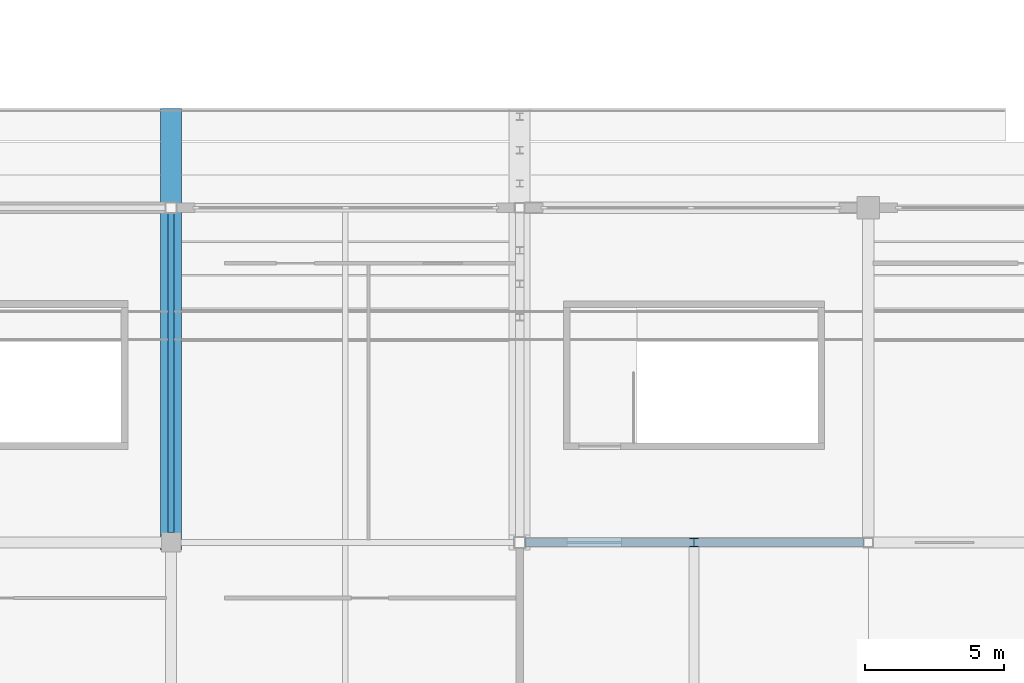
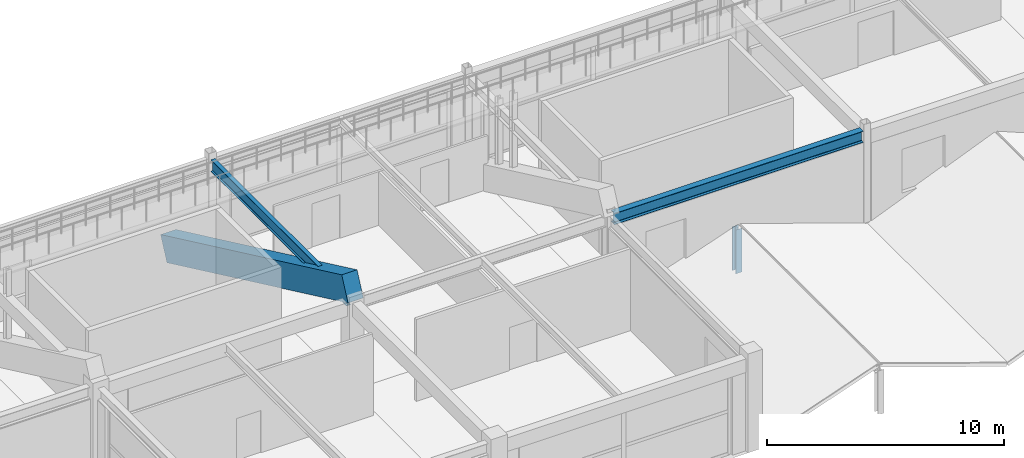
# One storey, part 46 of 128: 3 beams, 1 member.
"""IFC4 building model written with IfcOpenShell, lengths in metres."""

from ifc_helpers import new_model, si_unit, direction, frame, origin, origin_2d, place, context, subcontext, project, spatial, rectangle, i_section, extrude, material, material_profile, profile_set, type_object, element, save


model = new_model("IFC4")

# Units and contexts
model_context = context("Model", 3, precision=1e-05, world=origin(), true_north=direction((0.0, 1.0)))
body_context = subcontext(model_context, "Body", "Model", "MODEL_VIEW")
ifc_project = project(units=[si_unit("LENGTHUNIT", "METRE"), si_unit("AREAUNIT", "SQUARE_METRE"), si_unit("VOLUMEUNIT", "CUBIC_METRE"), si_unit("PLANEANGLEUNIT", "RADIAN"), si_unit("MASSUNIT", "GRAM", prefix="KILO")], contexts=[model_context])

# Site, building, storey
site_placement = place(None, origin())
site = spatial("IfcSite", under=ifc_project, at=site_placement, CompositionType="ELEMENT")
building_placement = place(site_placement, origin())
building = spatial("IfcBuilding", under=site, at=building_placement, Name="Kazenohara Klinker Stadium", CompositionType="ELEMENT")
storey_placement = place(building_placement, frame((0.0, 0.0, 15.300048828125)))
storey = spatial("IfcBuildingStorey", under=building, at=storey_placement, Name="L03", CompositionType="ELEMENT", Elevation=15.300048828125)

# Beams
ifc_material_1 = material(Name="Steel S355", Category="steel")
ifc_material_profile_1 = material_profile(ifc_material_1, i_section(OverallWidth=0.199951171875, OverallDepth=0.60009765625, WebThickness=0.010986328125, FlangeThickness=0.01708984375, FilletRadius=0.012939453125, at=origin_2d()), Name="H-600x200x11x17")
ifc_profile_set_1 = profile_set([ifc_material_profile_1], Name="Steel S355")
beam_type_1 = type_object("IfcBeamType", Name="BM-ST04", PredefinedType="BEAM", material=ifc_profile_set_1)
beam_1_placement = place(storey_placement, frame((137.5, 24.35009765625, 4.4599609375), z_axis=(0.0, 1.0, 0.0), x_axis=(-1.0, 0.0, 0.0)))
element("IfcBeam", 1, at=beam_1_placement, inside=storey, type_object=beam_type_1, Name="Primary girder SB04 L03 12/C-D", PredefinedType="BEAM", context=body_context, shape_type="SweptSolid", body=[
    extrude(i_section(OverallWidth=0.199951171875, OverallDepth=0.60009765625, WebThickness=0.010986328125, FlangeThickness=0.01708984375, FilletRadius=0.012939453125, at=origin_2d()), origin(), (0.0, 0.0, 1.0), 11.449951171875),
])
ifc_material_profile_2 = material_profile(ifc_material_1, i_section(OverallWidth=0.300048828125, OverallDepth=0.587890625, WebThickness=0.011962890625, FlangeThickness=0.02001953125, FilletRadius=0.02197265625, at=origin_2d()), Name="H-588x300x12x20")
ifc_profile_set_2 = profile_set([ifc_material_profile_2], Name="Steel S355")
beam_type_2 = type_object("IfcBeamType", Name="BM-ST05", PredefinedType="BEAM", material=ifc_profile_set_2)
beam_2_placement = place(storey_placement, frame((150.199951171875, 24.0, 4.466064453125), z_axis=(1.0, 0.0, 0.0), x_axis=(0.0, 1.0, 0.0)))
element("IfcBeam", 2, at=beam_2_placement, inside=storey, type_object=beam_type_2, Name="Primary girder SB05 L03 13-14/C", PredefinedType="BEAM", context=body_context, shape_type="SweptSolid", body=[
    extrude(i_section(OverallWidth=0.300048828125, OverallDepth=0.587890625, WebThickness=0.011962890625, FlangeThickness=0.02001953125, FilletRadius=0.02197265625, at=origin_2d()), origin(), (0.0, 0.0, 1.0), 12.125),
])

# Member
ifc_material_profile_3 = material_profile(ifc_material_1, i_section(OverallWidth=0.300048828125, OverallDepth=0.300048828125, WebThickness=0.010009765625, FlangeThickness=0.014892578125, FilletRadius=0.012939453125, at=origin_2d()), Name="H-300x300x10x15")
ifc_profile_set_3 = profile_set([ifc_material_profile_3], Name="Steel S355")
member_type = type_object("IfcMemberType", Name="MEM-STR01", PredefinedType="STRUT", material=ifc_profile_set_3)
member_placement = place(storey_placement, frame((156.25, 24.0, -0.429931640625), z_axis=(0.0, 0.0, 1.0), x_axis=(1.0, 0.0, 0.0)))
element("IfcMember", 3, at=member_placement, inside=storey, type_object=member_type, Name="Stepped pavilion gable king-post L03 13/B N", PredefinedType="STRUT", context=body_context, shape_type="SweptSolid", body=[
    extrude(i_section(OverallWidth=0.300048828125, OverallDepth=0.300048828125, WebThickness=0.010009765625, FlangeThickness=0.014892578125, FilletRadius=0.012939453125, at=origin_2d()), origin(), (0.0, 0.0, 1.0), 2.259765625),
])

# Beam
ifc_material_2 = material(Name="Precast concrete C50/60", Category="concrete")
ifc_material_profile_4 = material_profile(ifc_material_2, rectangle(XDim=0.75, YDim=1.25, at=origin_2d()), Name="PC-RAKER-750x1250")
ifc_profile_set_4 = profile_set([ifc_material_profile_4], Name="Precast concrete C50/60")
beam_type_3 = type_object("IfcBeamType", Name="RAKER-RK02", PredefinedType="USERDEFINED", material=ifc_profile_set_4)
beam_3_placement = place(storey_placement, frame((137.5, 24.0, 5.351318359375), z_axis=(0.0, 0.904820338238, -0.425793559734), x_axis=(-1.0, 0.0, 0.0)))
element("IfcBeam", 4, at=beam_3_placement, inside=storey, type_object=beam_type_3, Name="Precast bowl raker girder RK02 UPPER South 12", ObjectType="RAKER", PredefinedType="USERDEFINED", context=body_context, shape_type="SweptSolid", body=[
    extrude(rectangle(XDim=0.75, YDim=1.25, at=origin_2d()), origin(), (0.0, 0.0, 1.0), 16.909423828125),
])

save(model, "model.ifc")
